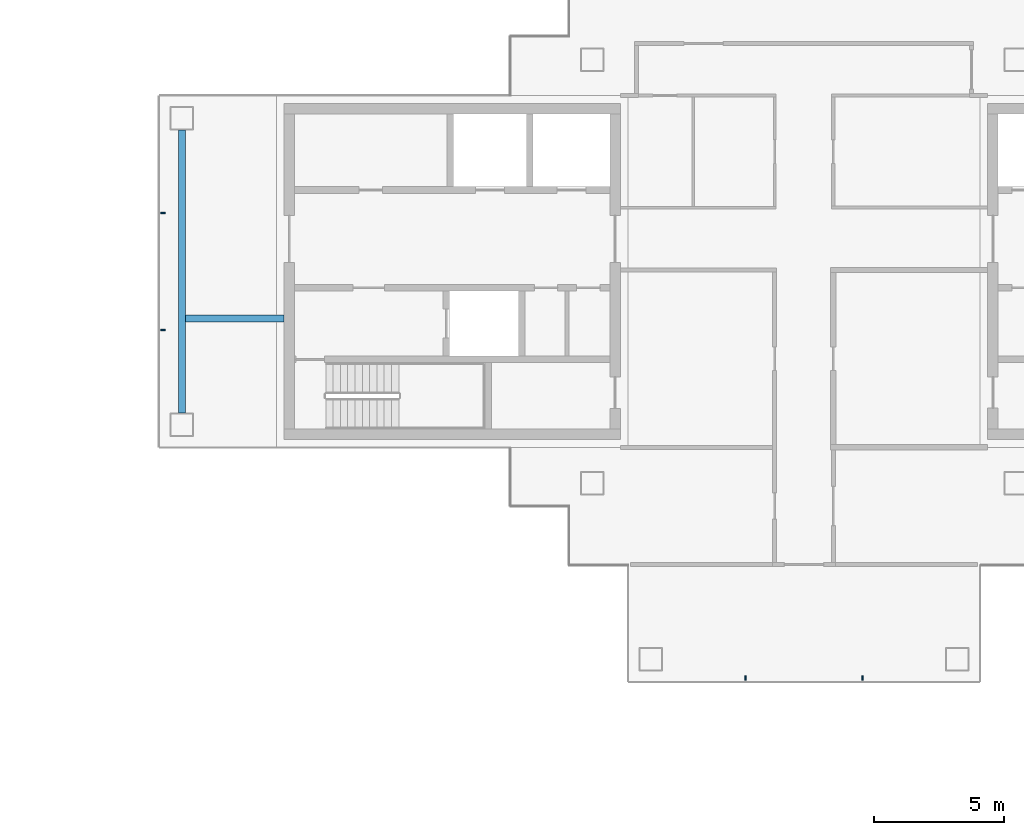
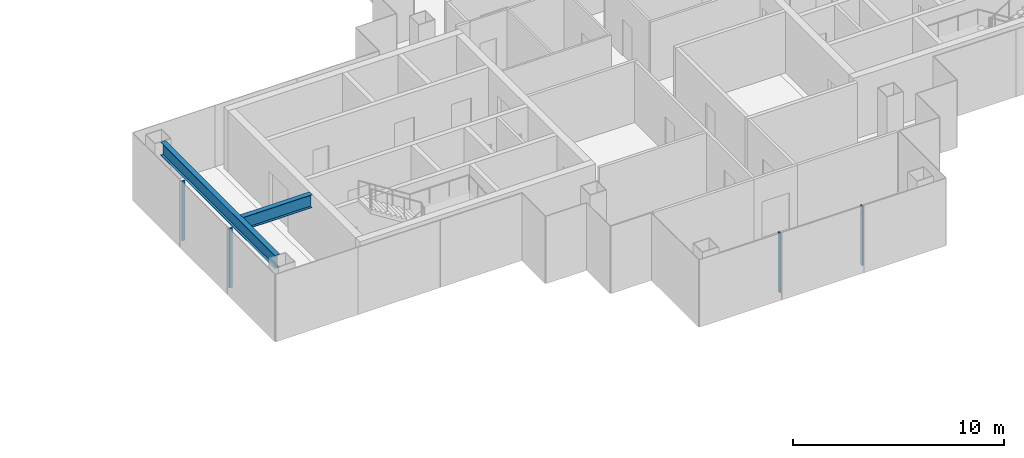
# One storey, part 5 of 16: 4 members, 2 beams, 2 elements without a shape of their own.
"""IFC4 building model written with IfcOpenShell, lengths in metres."""

from ifc_helpers import new_model, si_unit, direction, frame, origin, origin_2d, place, context, subcontext, project, spatial, rectangle, i_section, extrude, material, layer, layer_set, material_profile, profile_set, type_object, element, aggregate, save


model = new_model("IFC4")

# Units and contexts
model_context = context("Model", 3, precision=1e-05, world=origin(), true_north=direction((0.0, 1.0)))
body_context = subcontext(model_context, "Body", "Model", "MODEL_VIEW")
ifc_project = project(units=[si_unit("LENGTHUNIT", "METRE"), si_unit("AREAUNIT", "SQUARE_METRE"), si_unit("VOLUMEUNIT", "CUBIC_METRE"), si_unit("PLANEANGLEUNIT", "RADIAN"), si_unit("MASSUNIT", "GRAM", prefix="KILO")], contexts=[model_context])

# Site, building, storey
site_placement = place(None, origin())
site = spatial("IfcSite", under=ifc_project, at=site_placement, CompositionType="ELEMENT")
building_placement = place(site_placement, origin())
building = spatial("IfcBuilding", under=site, at=building_placement, Name="Shamsa Quay Exchange Towers", CompositionType="ELEMENT")
storey_placement = place(building_placement, frame((0.0, 0.0, 261.60009765625)))
storey = spatial("IfcBuildingStorey", under=building, at=storey_placement, Name="L63", CompositionType="ELEMENT", Elevation=261.60009765625)

# Curtain wall, members
ifc_material_1 = material(Name="Aluminium EN AW-6063 T6, black anodised", Category="aluminium")
ifc_layer = layer(ifc_material_1, 0.280029296875)
ifc_layer_set = layer_set([ifc_layer], Name="CW-1 UNITISED VISION GLASS")
curtain_wall_type = type_object("IfcCurtainWallType", Name="CW-1 UNITISED VISION GLASS", PredefinedType="NOTDEFINED", material=ifc_layer_set)
curtain_wall_1_placement = place(storey_placement, origin())
curtain_wall_1 = element("IfcCurtainWall", 1, at=curtain_wall_1_placement, inside=storey, type_object=curtain_wall_type, Name="CW1 T2-END-V+ L63", PredefinedType="NOTDEFINED")
ifc_material_profile_1 = material_profile(ifc_material_1, rectangle(XDim=0.179931640625, YDim=0.06005859375, at=origin_2d()), Name="MU60x180")
ifc_profile_set_1 = profile_set([ifc_material_profile_1], Name="Aluminium EN AW-6063 T6, black anodised")
member_type = type_object("IfcMemberType", Name="CW1 MULLION 60x180", PredefinedType="MULLION", material=ifc_profile_set_1)
member_1_placement = place(storey_placement, frame((9.14990234375, 2.25, 0.0)))
member_1 = element("IfcMember", 2, at=member_1_placement, type_object=member_type, Name="CW1 mullion", PredefinedType="MULLION", context=body_context, shape_type="SweptSolid", body=[
    extrude(rectangle(XDim=0.179931640625, YDim=0.06005859375, at=origin_2d()), origin(), (0.0, 0.0, 1.0), 3.449951171875),
])
member_2_placement = place(storey_placement, frame((9.14990234375, -2.25, 0.0)))
member_2 = element("IfcMember", 3, at=member_2_placement, type_object=member_type, Name="CW1 mullion", PredefinedType="MULLION", context=body_context, shape_type="SweptSolid", body=[
    extrude(rectangle(XDim=0.179931640625, YDim=0.06005859375, at=origin_2d()), origin(), (0.0, 0.0, 1.0), 3.449951171875),
])
aggregate(curtain_wall_1, [member_1, member_2])

curtain_wall_2_placement = place(storey_placement, origin())
curtain_wall_2 = element("IfcCurtainWall", 4, at=curtain_wall_2_placement, inside=storey, type_object=curtain_wall_type, Name="CW1 T2-END-U- L63", PredefinedType="NOTDEFINED")
member_3_placement = place(storey_placement, frame((31.5, -15.60009765625, 0.0), z_axis=(0.0, 0.0, 1.0), x_axis=(0.0, 1.0, 0.0)))
member_3 = element("IfcMember", 5, at=member_3_placement, type_object=member_type, Name="CW1 mullion", PredefinedType="MULLION", context=body_context, shape_type="SweptSolid", body=[
    extrude(rectangle(XDim=0.179931640625, YDim=0.06005859375, at=origin_2d()), origin(), (0.0, 0.0, 1.0), 3.449951171875),
])
member_4_placement = place(storey_placement, frame((36.0, -15.60009765625, 0.0), z_axis=(0.0, 0.0, 1.0), x_axis=(0.0, 1.0, 0.0)))
member_4 = element("IfcMember", 6, at=member_4_placement, type_object=member_type, Name="CW1 mullion", PredefinedType="MULLION", context=body_context, shape_type="SweptSolid", body=[
    extrude(rectangle(XDim=0.179931640625, YDim=0.06005859375, at=origin_2d()), origin(), (0.0, 0.0, 1.0), 3.449951171875),
])
aggregate(curtain_wall_2, [member_3, member_4])

# Beams
ifc_material_2 = material(Name="Steel S355", Category="steel")
ifc_material_profile_2 = material_profile(ifc_material_2, i_section(OverallWidth=0.26611328125, OverallDepth=0.7578125, WebThickness=0.013916015625, FlangeThickness=0.019287109375, at=origin_2d()), Name="W30x108")
ifc_profile_set_2 = profile_set([ifc_material_profile_2], Name="Steel S355")
beam_type = type_object("IfcBeamType", Name="End-zone beam W30x108", PredefinedType="BEAM", material=ifc_profile_set_2)
beam_1_placement = place(storey_placement, frame((9.875, -5.425048828125, 3.171142578125), z_axis=(0.0, 1.0, 0.0), x_axis=(-1.0, 0.0, 0.0)))
element("IfcBeam", 7, at=beam_1_placement, inside=storey, type_object=beam_type, Name="End beam T2 V+ end zone L63", PredefinedType="BEAM", context=body_context, shape_type="SweptSolid", body=[
    extrude(i_section(OverallWidth=0.26611328125, OverallDepth=0.7578125, WebThickness=0.013916015625, FlangeThickness=0.019287109375, at=origin_2d()), origin(), (0.0, 0.0, 1.0), 10.85009765625),
])
beam_2_placement = place(storey_placement, frame((13.800048828125, -1.800048828125, 3.171142578125), z_axis=(-1.0, 0.0, 0.0), x_axis=(0.0, -1.0, 0.0)))
element("IfcBeam", 8, at=beam_2_placement, inside=storey, type_object=beam_type, Name="Spine beam T2 V+ end zone L63", PredefinedType="BEAM", context=body_context, shape_type="SweptSolid", body=[
    extrude(i_section(OverallWidth=0.26611328125, OverallDepth=0.7578125, WebThickness=0.013916015625, FlangeThickness=0.019287109375, at=origin_2d()), origin(), (0.0, 0.0, 1.0), 3.7919921875),
])

save(model, "model.ifc")
